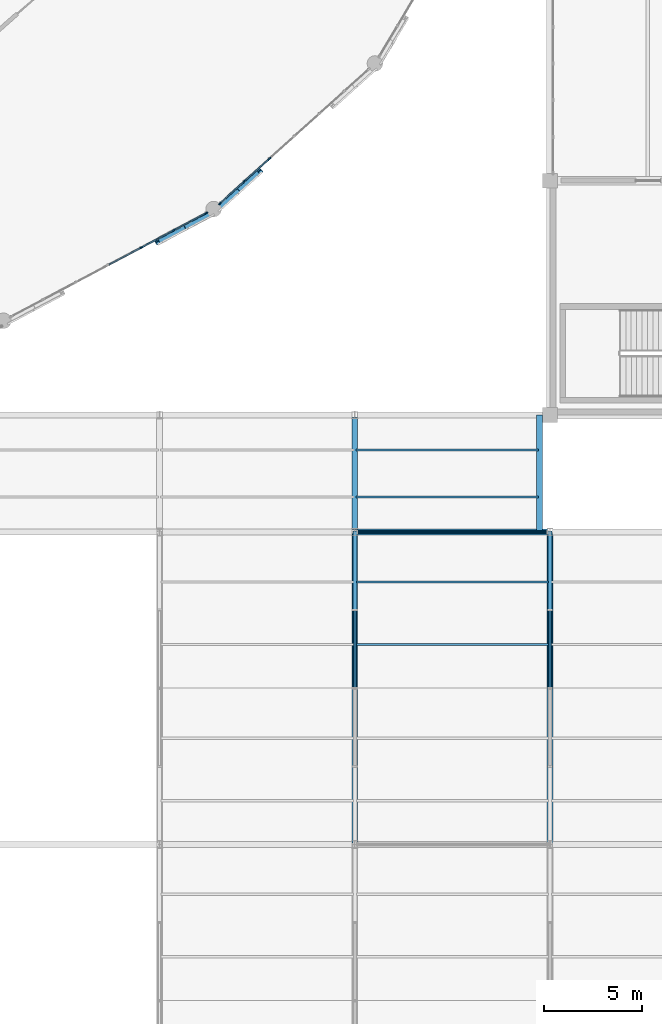
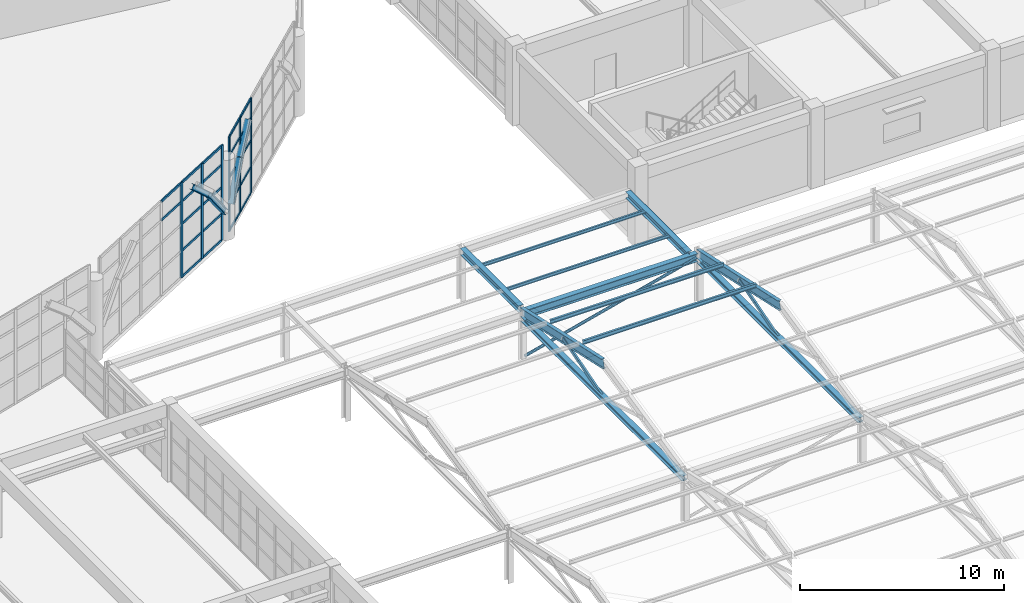
# One storey, part 31 of 109: 37 members, 9 beams, 2 elements without a shape of their own.
"""IFC4 building model written with IfcOpenShell, lengths in metres."""

from ifc_helpers import new_model, si_unit, direction, frame, origin, origin_2d, place, context, subcontext, project, spatial, rectangle, hollow_rectangle, hollow_circle, i_section, extrude, material, layer, layer_set, material_profile, profile_set, type_object, element, aggregate, save


model = new_model("IFC4")

# Units and contexts
model_context = context("Model", 3, precision=1e-05, world=origin(), true_north=direction((0.0, 1.0)))
body_context = subcontext(model_context, "Body", "Model", "MODEL_VIEW")
ifc_project = project(units=[si_unit("LENGTHUNIT", "METRE"), si_unit("AREAUNIT", "SQUARE_METRE"), si_unit("VOLUMEUNIT", "CUBIC_METRE"), si_unit("PLANEANGLEUNIT", "RADIAN"), si_unit("MASSUNIT", "GRAM", prefix="KILO")], contexts=[model_context])

# Site, building, storey
site_placement = place(None, origin())
site = spatial("IfcSite", under=ifc_project, at=site_placement, CompositionType="ELEMENT")
building_placement = place(site_placement, origin())
building = spatial("IfcBuilding", under=site, at=building_placement, Name="Kivolera Central Railway Station", CompositionType="ELEMENT")
storey_placement = place(building_placement, frame((0.0, 0.0, 9.60009765625)))
storey = spatial("IfcBuildingStorey", under=building, at=storey_placement, Name="L02", CompositionType="ELEMENT", Elevation=9.60009765625)

# Beams
ifc_material_1 = material(Name="Steel S355", Category="steel")
ifc_material_profile_1 = material_profile(ifc_material_1, i_section(OverallWidth=0.300048828125, OverallDepth=0.300048828125, WebThickness=0.010986328125, FlangeThickness=0.01904296875, FilletRadius=0.027099609375, at=origin_2d()), Name="HEB 300")
ifc_profile_set_1 = profile_set([ifc_material_profile_1], Name="Steel S355")
beam_type_1 = type_object("IfcBeamType", Name="BM-LANT-ARCH", PredefinedType="SPANDREL", material=ifc_profile_set_1)
beam_1_placement = place(storey_placement, frame((97.8759765625, 62.87109375, 4.9599609375), z_axis=(0.652784182999, 0.346644240166, -0.673580419242), x_axis=(-0.468999731448, 0.883198308367, 0.0)))
element("IfcBeam", 1, at=beam_1_placement, inside=storey, type_object=beam_type_1, Name="Oval Lantern Structural Arch Rib 21.5", PredefinedType="SPANDREL", context=body_context, shape_type="SweptSolid", body=[
    extrude(i_section(OverallWidth=0.300048828125, OverallDepth=0.300048828125, WebThickness=0.010986328125, FlangeThickness=0.01904296875, FilletRadius=0.027099609375, at=origin_2d()), origin(), (0.0, 0.0, 1.0), 2.019287109375),
])
beam_2_placement = place(storey_placement, frame((99.194091796875, 63.571044921875, 3.599853515625), z_axis=(0.545793526842, 0.289668648918, -0.786257909271), x_axis=(-0.468796526023, 0.883306185413, 0.0)))
element("IfcBeam", 2, at=beam_2_placement, inside=storey, type_object=beam_type_1, Name="Oval Lantern Structural Arch Rib 21.6", PredefinedType="SPANDREL", context=body_context, shape_type="SweptSolid", body=[
    extrude(i_section(OverallWidth=0.300048828125, OverallDepth=0.300048828125, WebThickness=0.010986328125, FlangeThickness=0.01904296875, FilletRadius=0.027099609375, at=origin_2d()), origin(), (0.0, 0.0, 1.0), 2.41650390625),
])
beam_3_placement = place(storey_placement, frame((101.114013671875, 64.693115234375, 1.699951171875), z_axis=(0.431185404632, 0.388705114828, 0.814240431653), x_axis=(-0.669571929078, 0.742747219309, 0.0)))
element("IfcBeam", 3, at=beam_3_placement, inside=storey, type_object=beam_type_1, Name="Oval Lantern Structural Arch Rib 22.1", PredefinedType="SPANDREL", context=body_context, shape_type="SweptSolid", body=[
    extrude(i_section(OverallWidth=0.300048828125, OverallDepth=0.300048828125, WebThickness=0.010986328125, FlangeThickness=0.01904296875, FilletRadius=0.027099609375, at=origin_2d()), origin(), (0.0, 0.0, 1.0), 2.333251953125),
])
beam_4_placement = place(storey_placement, frame((102.1201171875, 65.60009765625, 3.599853515625), z_axis=(0.523541860039, 0.473044746716, 0.708613144382), x_axis=(-0.670417548864, 0.741984036334, 0.0)))
element("IfcBeam", 4, at=beam_4_placement, inside=storey, type_object=beam_type_1, Name="Oval Lantern Structural Arch Rib 22.2", PredefinedType="SPANDREL", context=body_context, shape_type="SweptSolid", body=[
    extrude(i_section(OverallWidth=0.300048828125, OverallDepth=0.300048828125, WebThickness=0.010986328125, FlangeThickness=0.01904296875, FilletRadius=0.027099609375, at=origin_2d()), origin(), (0.0, 0.0, 1.0), 1.91943359375),
])
ifc_material_profile_2 = material_profile(ifc_material_1, i_section(OverallWidth=0.300048828125, OverallDepth=0.389892578125, WebThickness=0.010986328125, FlangeThickness=0.01904296875, FilletRadius=0.027099609375, at=origin_2d()), Name="HEA 400")
ifc_profile_set_2 = profile_set([ifc_material_profile_2], Name="Steel S355")
beam_type_2 = type_object("IfcBeamType", Name="BM-SHD-HEA400", PredefinedType="BEAM", material=ifc_profile_set_2)
beam_5_placement = place(storey_placement, frame((108.0, 48.14208984375, 3.054931640625), z_axis=(0.0, 1.0, 0.0), x_axis=(-1.0, 0.0, 0.0)))
element("IfcBeam", 5, at=beam_5_placement, inside=storey, type_object=beam_type_2, Name="Train Shed Threshold Canopy Rafter DE-11", PredefinedType="BEAM", context=body_context, shape_type="SweptSolid", body=[
    extrude(i_section(OverallWidth=0.300048828125, OverallDepth=0.389892578125, WebThickness=0.010986328125, FlangeThickness=0.01904296875, FilletRadius=0.027099609375, at=origin_2d()), origin(), (0.0, 0.0, 1.0), 5.7158203125),
])
beam_6_placement = place(storey_placement, frame((117.4599609375, 48.0, 3.054931640625), z_axis=(0.0, 1.0, 0.0), x_axis=(-1.0, 0.0, 0.0)))
element("IfcBeam", 6, at=beam_6_placement, inside=storey, type_object=beam_type_2, Name="Train Shed Threshold Canopy Rafter DE-12W", PredefinedType="BEAM", context=body_context, shape_type="SweptSolid", body=[
    extrude(i_section(OverallWidth=0.300048828125, OverallDepth=0.389892578125, WebThickness=0.010986328125, FlangeThickness=0.01904296875, FilletRadius=0.027099609375, at=origin_2d()), origin(), (0.0, 0.0, 1.0), 6.0),
])
ifc_material_profile_3 = material_profile(ifc_material_1, i_section(OverallWidth=0.300048828125, OverallDepth=0.489990234375, WebThickness=0.011962890625, FlangeThickness=0.02294921875, FilletRadius=0.027099609375, at=origin_2d()), Name="HEA 500")
ifc_profile_set_3 = profile_set([ifc_material_profile_3], Name="Steel S355")
beam_type_3 = type_object("IfcBeamType", Name="BM-SHD-HEA500", PredefinedType="BEAM", material=ifc_profile_set_3)
beam_7_placement = place(storey_placement, frame((108.136962890625, 48.0, 2.81982421875), z_axis=(1.0, 0.0, 0.0), x_axis=(0.0, 1.0, 0.0)))
element("IfcBeam", 7, at=beam_7_placement, inside=storey, type_object=beam_type_3, Name="Train Shed Eave Girder D:11-12", PredefinedType="BEAM", context=body_context, shape_type="SweptSolid", body=[
    extrude(i_section(OverallWidth=0.300048828125, OverallDepth=0.489990234375, WebThickness=0.011962890625, FlangeThickness=0.02294921875, FilletRadius=0.027099609375, at=origin_2d()), origin(), (0.0, 0.0, 1.0), 9.72607421875),
])
ifc_material_profile_4 = material_profile(ifc_material_1, i_section(OverallWidth=0.209228515625, OverallDepth=0.533203125, WebThickness=0.010009765625, FlangeThickness=0.015625, FilletRadius=0.0126953125, at=origin_2d()), Name="UB 533x210x92")
ifc_profile_set_4 = profile_set([ifc_material_profile_4], Name="Steel S355")
beam_type_4 = type_object("IfcBeamType", Name="BM-SHD-UB533", PredefinedType="BEAM", material=ifc_profile_set_4)
for number, where, z_axis, x_axis, name in (
    (8, (108.0, 40.0, 4.684814453125), (0.0, 0.97664421653, -0.214862919829), (-1.0, 0.0, 0.0), "Train Shed Roof Truss Top Rafter CD-11N"),
    (9, (118.0, 40.0, 4.684814453125), (0.0, 0.97664421653, -0.214862919829), (-1.0, 0.0, 0.0), "Train Shed Roof Truss Top Rafter CD-12N"),
):
    element("IfcBeam", number, at=place(storey_placement, frame(where, z_axis=z_axis, x_axis=x_axis)), inside=storey, type_object=beam_type_4, Name=name, PredefinedType="BEAM", context=body_context, shape_type="SweptSolid", body=[
        extrude(i_section(OverallWidth=0.209228515625, OverallDepth=0.533203125, WebThickness=0.010009765625, FlangeThickness=0.015625, FilletRadius=0.0126953125, at=origin_2d()), origin(), (0.0, 0.0, 1.0), 8.19140625),
    ])

# Curtain wall, members
ifc_material_2 = material(Name="Anodised aluminium", Category="aluminium")
ifc_layer_1 = layer(ifc_material_2, 0.179931640625, Name="Anodised aluminium")
ifc_layer_set_1 = layer_set([ifc_layer_1], Name="Anodised aluminium")
curtain_wall_type_1 = type_object("IfcCurtainWallType", Name="CW-SYS-09", PredefinedType="NOTDEFINED", material=ifc_layer_set_1)
curtain_wall_1_placement = place(storey_placement, origin())
curtain_wall_1 = element("IfcCurtainWall", 10, at=curtain_wall_1_placement, inside=storey, type_object=curtain_wall_type_1, Name="L02 Curtain Wall CW-L02-OVL-20", PredefinedType="NOTDEFINED")
ifc_material_profile_5 = material_profile(ifc_material_2, rectangle(XDim=0.070068359375, YDim=0.179931640625, at=origin_2d()), Name="ALU MULL 70x180")
ifc_profile_set_5 = profile_set([ifc_material_profile_5], Name="Anodised aluminium")
member_type_1 = type_object("IfcMemberType", Name="CWM-MUL-1", PredefinedType="MULLION", material=ifc_profile_set_5)
member_1_placement = place(storey_placement, frame((100.385986328125, 64.339599609375, -0.005126953125), z_axis=(0.0, 0.0, 1.0), x_axis=(0.469052563023, -0.883170251493, 0.0)))
member_1 = element("IfcMember", 11, at=member_1_placement, type_object=member_type_1, Name="CW-09 mullion 1", PredefinedType="MULLION", context=body_context, shape_type="SweptSolid", body=[
    extrude(rectangle(XDim=0.070068359375, YDim=0.179931640625, at=origin_2d()), origin(), (0.0, 0.0, 1.0), 5.705078125),
])
member_2_placement = place(storey_placement, frame((98.73974609375, 63.465087890625, -0.005126953125), z_axis=(0.0, 0.0, 1.0), x_axis=(0.469052563023, -0.883170251493, 0.0)))
member_2 = element("IfcMember", 12, at=member_2_placement, type_object=member_type_1, Name="CW-09 mullion 2", PredefinedType="MULLION", context=body_context, shape_type="SweptSolid", body=[
    extrude(rectangle(XDim=0.070068359375, YDim=0.179931640625, at=origin_2d()), origin(), (0.0, 0.0, 1.0), 5.705078125),
])
member_3_placement = place(storey_placement, frame((97.062255859375, 62.57421875, -0.005126953125), z_axis=(0.0, 0.0, 1.0), x_axis=(0.469052563023, -0.883170251493, 0.0)))
member_3 = element("IfcMember", 13, at=member_3_placement, type_object=member_type_1, Name="CW-09 mullion 3", PredefinedType="MULLION", context=body_context, shape_type="SweptSolid", body=[
    extrude(rectangle(XDim=0.070068359375, YDim=0.179931640625, at=origin_2d()), origin(), (0.0, 0.0, 1.0), 5.705078125),
])

ifc_layer_2 = layer(ifc_material_2, 0.179931640625, Name="Anodised aluminium")
ifc_layer_set_2 = layer_set([ifc_layer_2], Name="Anodised aluminium")
curtain_wall_type_2 = type_object("IfcCurtainWallType", Name="CW-SYS-06", PredefinedType="NOTDEFINED", material=ifc_layer_set_2)
curtain_wall_2_placement = place(storey_placement, origin())
curtain_wall_2 = element("IfcCurtainWall", 14, at=curtain_wall_2_placement, inside=storey, type_object=curtain_wall_type_2, Name="L02 Curtain Wall CW-L02-OVL-21", PredefinedType="NOTDEFINED")
member_4_placement = place(storey_placement, frame((103.623291015625, 67.11865234375, -0.005126953125), z_axis=(0.0, 0.0, 1.0), x_axis=(0.66992157428, -0.742431871833, 0.0)))
member_4 = element("IfcMember", 15, at=member_4_placement, type_object=member_type_1, Name="CW-06 mullion 5", PredefinedType="MULLION", context=body_context, shape_type="SweptSolid", body=[
    extrude(rectangle(XDim=0.070068359375, YDim=0.179931640625, at=origin_2d()), origin(), (0.0, 0.0, 1.0), 5.705078125),
])
member_5_placement = place(storey_placement, frame((102.34521484375, 65.96533203125, -0.005126953125), z_axis=(0.0, 0.0, 1.0), x_axis=(0.66992157428, -0.742431871833, 0.0)))
member_5 = element("IfcMember", 16, at=member_5_placement, type_object=member_type_1, Name="CW-06 mullion 6", PredefinedType="MULLION", context=body_context, shape_type="SweptSolid", body=[
    extrude(rectangle(XDim=0.070068359375, YDim=0.179931640625, at=origin_2d()), origin(), (0.0, 0.0, 1.0), 5.705078125),
])
member_6_placement = place(storey_placement, frame((101.093017578125, 64.83544921875, -0.005126953125), z_axis=(0.0, 0.0, 1.0), x_axis=(0.66992157428, -0.742431871833, 0.0)))
member_6 = element("IfcMember", 17, at=member_6_placement, type_object=member_type_1, Name="CW-06 mullion 7", PredefinedType="MULLION", context=body_context, shape_type="SweptSolid", body=[
    extrude(rectangle(XDim=0.070068359375, YDim=0.179931640625, at=origin_2d()), origin(), (0.0, 0.0, 1.0), 5.705078125),
])

# Member
ifc_material_profile_6 = material_profile(ifc_material_2, rectangle(XDim=0.070068359375, YDim=0.139892578125, at=origin_2d()), Name="ALU TRAN 70x140")
ifc_profile_set_6 = profile_set([ifc_material_profile_6], Name="Anodised aluminium")
member_type_2 = type_object("IfcMemberType", Name="CWM-TRN-1", PredefinedType="USERDEFINED", material=ifc_profile_set_6)
member_7_placement = place(storey_placement, frame((100.355224609375, 64.3232421875, 0.034912109375), z_axis=(-0.883191460259, -0.469012627255, 0.0), x_axis=(0.469012627255, -0.883191460259, 0.0)))
member_7 = element("IfcMember", 18, at=member_7_placement, type_object=member_type_2, Name="CW-09 transom 1.1", ObjectType="TRANSOM", PredefinedType="USERDEFINED", context=body_context, shape_type="SweptSolid", body=[
    extrude(rectangle(XDim=0.070068359375, YDim=0.139892578125, at=origin_2d()), origin(), (0.0, 0.0, 1.0), 1.794189453125),
])

member_8_placement = place(storey_placement, frame((100.355224609375, 64.3232421875, 1.599853515625), z_axis=(-0.883191460259, -0.469012627255, 0.0), x_axis=(0.469012627255, -0.883191460259, 0.0)))
member_8 = element("IfcMember", 19, at=member_8_placement, type_object=member_type_2, Name="CW-09 transom 1.2", ObjectType="TRANSOM", PredefinedType="USERDEFINED", context=body_context, shape_type="SweptSolid", body=[
    extrude(rectangle(XDim=0.070068359375, YDim=0.139892578125, at=origin_2d()), origin(), (0.0, 0.0, 1.0), 1.794189453125),
])

member_9_placement = place(storey_placement, frame((100.355224609375, 64.3232421875, 3.199951171875), z_axis=(-0.883191460259, -0.469012627255, 0.0), x_axis=(0.469012627255, -0.883191460259, 0.0)))
member_9 = element("IfcMember", 20, at=member_9_placement, type_object=member_type_2, Name="CW-09 transom 1.3", ObjectType="TRANSOM", PredefinedType="USERDEFINED", context=body_context, shape_type="SweptSolid", body=[
    extrude(rectangle(XDim=0.070068359375, YDim=0.139892578125, at=origin_2d()), origin(), (0.0, 0.0, 1.0), 1.794189453125),
])

member_10_placement = place(storey_placement, frame((100.355224609375, 64.3232421875, 4.5498046875), z_axis=(-0.883191460259, -0.469012627255, 0.0), x_axis=(0.469012627255, -0.883191460259, 0.0)))
member_10 = element("IfcMember", 21, at=member_10_placement, type_object=member_type_2, Name="CW-09 transom 1.4", ObjectType="TRANSOM", PredefinedType="USERDEFINED", context=body_context, shape_type="SweptSolid", body=[
    extrude(rectangle(XDim=0.070068359375, YDim=0.139892578125, at=origin_2d()), origin(), (0.0, 0.0, 1.0), 1.794189453125),
])

member_11_placement = place(storey_placement, frame((100.355224609375, 64.3232421875, 5.664794921875), z_axis=(-0.883191460259, -0.469012627255, 0.0), x_axis=(0.469012627255, -0.883191460259, 0.0)))
member_11 = element("IfcMember", 22, at=member_11_placement, type_object=member_type_2, Name="CW-09 transom 1.5", ObjectType="TRANSOM", PredefinedType="USERDEFINED", context=body_context, shape_type="SweptSolid", body=[
    extrude(rectangle(XDim=0.070068359375, YDim=0.139892578125, at=origin_2d()), origin(), (0.0, 0.0, 1.0), 1.794189453125),
])

member_12_placement = place(storey_placement, frame((98.708740234375, 63.44873046875, 0.034912109375), z_axis=(-0.88318656257, -0.469021849913, 0.0), x_axis=(0.469021849913, -0.88318656257, 0.0)))
member_12 = element("IfcMember", 23, at=member_12_placement, type_object=member_type_2, Name="CW-09 transom 2.1", ObjectType="TRANSOM", PredefinedType="USERDEFINED", context=body_context, shape_type="SweptSolid", body=[
    extrude(rectangle(XDim=0.070068359375, YDim=0.139892578125, at=origin_2d()), origin(), (0.0, 0.0, 1.0), 1.8291015625),
])

member_13_placement = place(storey_placement, frame((98.708740234375, 63.44873046875, 1.599853515625), z_axis=(-0.88318656257, -0.469021849913, 0.0), x_axis=(0.469021849913, -0.88318656257, 0.0)))
member_13 = element("IfcMember", 24, at=member_13_placement, type_object=member_type_2, Name="CW-09 transom 2.2", ObjectType="TRANSOM", PredefinedType="USERDEFINED", context=body_context, shape_type="SweptSolid", body=[
    extrude(rectangle(XDim=0.070068359375, YDim=0.139892578125, at=origin_2d()), origin(), (0.0, 0.0, 1.0), 1.8291015625),
])

member_14_placement = place(storey_placement, frame((98.708740234375, 63.44873046875, 3.199951171875), z_axis=(-0.88318656257, -0.469021849913, 0.0), x_axis=(0.469021849913, -0.88318656257, 0.0)))
member_14 = element("IfcMember", 25, at=member_14_placement, type_object=member_type_2, Name="CW-09 transom 2.3", ObjectType="TRANSOM", PredefinedType="USERDEFINED", context=body_context, shape_type="SweptSolid", body=[
    extrude(rectangle(XDim=0.070068359375, YDim=0.139892578125, at=origin_2d()), origin(), (0.0, 0.0, 1.0), 1.8291015625),
])

member_15_placement = place(storey_placement, frame((98.708740234375, 63.44873046875, 4.5498046875), z_axis=(-0.88318656257, -0.469021849913, 0.0), x_axis=(0.469021849913, -0.88318656257, 0.0)))
member_15 = element("IfcMember", 26, at=member_15_placement, type_object=member_type_2, Name="CW-09 transom 2.4", ObjectType="TRANSOM", PredefinedType="USERDEFINED", context=body_context, shape_type="SweptSolid", body=[
    extrude(rectangle(XDim=0.070068359375, YDim=0.139892578125, at=origin_2d()), origin(), (0.0, 0.0, 1.0), 1.8291015625),
])

member_16_placement = place(storey_placement, frame((98.708740234375, 63.44873046875, 5.664794921875), z_axis=(-0.88318656257, -0.469021849913, 0.0), x_axis=(0.469021849913, -0.88318656257, 0.0)))
member_16 = element("IfcMember", 27, at=member_16_placement, type_object=member_type_2, Name="CW-09 transom 2.5", ObjectType="TRANSOM", PredefinedType="USERDEFINED", context=body_context, shape_type="SweptSolid", body=[
    extrude(rectangle(XDim=0.070068359375, YDim=0.139892578125, at=origin_2d()), origin(), (0.0, 0.0, 1.0), 1.8291015625),
])

member_17_placement = place(storey_placement, frame((97.031494140625, 62.557861328125, 4.5498046875), z_axis=(-0.88318656257, -0.469021849913, 0.0), x_axis=(0.469021849913, -0.88318656257, 0.0)))
member_17 = element("IfcMember", 28, at=member_17_placement, type_object=member_type_2, Name="CW-09 transom 3.4", ObjectType="TRANSOM", PredefinedType="USERDEFINED", context=body_context, shape_type="SweptSolid", body=[
    extrude(rectangle(XDim=0.070068359375, YDim=0.139892578125, at=origin_2d()), origin(), (0.0, 0.0, 1.0), 1.8291015625),
])

member_18_placement = place(storey_placement, frame((97.031494140625, 62.557861328125, 5.664794921875), z_axis=(-0.88318656257, -0.469021849913, 0.0), x_axis=(0.469021849913, -0.88318656257, 0.0)))
member_18 = element("IfcMember", 29, at=member_18_placement, type_object=member_type_2, Name="CW-09 transom 3.5", ObjectType="TRANSOM", PredefinedType="USERDEFINED", context=body_context, shape_type="SweptSolid", body=[
    extrude(rectangle(XDim=0.070068359375, YDim=0.139892578125, at=origin_2d()), origin(), (0.0, 0.0, 1.0), 1.8291015625),
])

aggregate(curtain_wall_1, [member_1, member_2, member_3, member_7, member_8, member_9, member_10, member_11, member_12, member_13, member_14, member_15, member_16, member_17, member_18])

member_19_placement = place(storey_placement, frame((103.597412109375, 67.09521484375, 0.034912109375), z_axis=(-0.74246304586, -0.669887024455, 0.0), x_axis=(0.669887024455, -0.74246304586, 0.0)))
member_19 = element("IfcMember", 30, at=member_19_placement, type_object=member_type_2, Name="CW-06 transom 5.1", ObjectType="TRANSOM", PredefinedType="USERDEFINED", context=body_context, shape_type="SweptSolid", body=[
    extrude(rectangle(XDim=0.070068359375, YDim=0.139892578125, at=origin_2d()), origin(), (0.0, 0.0, 1.0), 1.651611328125),
])

member_20_placement = place(storey_placement, frame((103.597412109375, 67.09521484375, 1.599853515625), z_axis=(-0.74246304586, -0.669887024455, 0.0), x_axis=(0.669887024455, -0.74246304586, 0.0)))
member_20 = element("IfcMember", 31, at=member_20_placement, type_object=member_type_2, Name="CW-06 transom 5.2", ObjectType="TRANSOM", PredefinedType="USERDEFINED", context=body_context, shape_type="SweptSolid", body=[
    extrude(rectangle(XDim=0.070068359375, YDim=0.139892578125, at=origin_2d()), origin(), (0.0, 0.0, 1.0), 1.651611328125),
])

member_21_placement = place(storey_placement, frame((103.597412109375, 67.09521484375, 3.199951171875), z_axis=(-0.74246304586, -0.669887024455, 0.0), x_axis=(0.669887024455, -0.74246304586, 0.0)))
member_21 = element("IfcMember", 32, at=member_21_placement, type_object=member_type_2, Name="CW-06 transom 5.3", ObjectType="TRANSOM", PredefinedType="USERDEFINED", context=body_context, shape_type="SweptSolid", body=[
    extrude(rectangle(XDim=0.070068359375, YDim=0.139892578125, at=origin_2d()), origin(), (0.0, 0.0, 1.0), 1.651611328125),
])

member_22_placement = place(storey_placement, frame((103.597412109375, 67.09521484375, 4.5498046875), z_axis=(-0.74246304586, -0.669887024455, 0.0), x_axis=(0.669887024455, -0.74246304586, 0.0)))
member_22 = element("IfcMember", 33, at=member_22_placement, type_object=member_type_2, Name="CW-06 transom 5.4", ObjectType="TRANSOM", PredefinedType="USERDEFINED", context=body_context, shape_type="SweptSolid", body=[
    extrude(rectangle(XDim=0.070068359375, YDim=0.139892578125, at=origin_2d()), origin(), (0.0, 0.0, 1.0), 1.651611328125),
])

member_23_placement = place(storey_placement, frame((103.597412109375, 67.09521484375, 5.664794921875), z_axis=(-0.74246304586, -0.669887024455, 0.0), x_axis=(0.669887024455, -0.74246304586, 0.0)))
member_23 = element("IfcMember", 34, at=member_23_placement, type_object=member_type_2, Name="CW-06 transom 5.5", ObjectType="TRANSOM", PredefinedType="USERDEFINED", context=body_context, shape_type="SweptSolid", body=[
    extrude(rectangle(XDim=0.070068359375, YDim=0.139892578125, at=origin_2d()), origin(), (0.0, 0.0, 1.0), 1.651611328125),
])

member_24_placement = place(storey_placement, frame((102.319091796875, 65.94189453125, 0.034912109375), z_axis=(-0.742422429893, -0.66993203804, 0.0), x_axis=(0.66993203804, -0.742422429893, 0.0)))
member_24 = element("IfcMember", 35, at=member_24_placement, type_object=member_type_2, Name="CW-06 transom 6.1", ObjectType="TRANSOM", PredefinedType="USERDEFINED", context=body_context, shape_type="SweptSolid", body=[
    extrude(rectangle(XDim=0.070068359375, YDim=0.139892578125, at=origin_2d()), origin(), (0.0, 0.0, 1.0), 1.61669921875),
])

member_25_placement = place(storey_placement, frame((102.319091796875, 65.94189453125, 1.599853515625), z_axis=(-0.742422429893, -0.66993203804, 0.0), x_axis=(0.66993203804, -0.742422429893, 0.0)))
member_25 = element("IfcMember", 36, at=member_25_placement, type_object=member_type_2, Name="CW-06 transom 6.2", ObjectType="TRANSOM", PredefinedType="USERDEFINED", context=body_context, shape_type="SweptSolid", body=[
    extrude(rectangle(XDim=0.070068359375, YDim=0.139892578125, at=origin_2d()), origin(), (0.0, 0.0, 1.0), 1.61669921875),
])

member_26_placement = place(storey_placement, frame((102.319091796875, 65.94189453125, 3.199951171875), z_axis=(-0.742422429893, -0.66993203804, 0.0), x_axis=(0.66993203804, -0.742422429893, 0.0)))
member_26 = element("IfcMember", 37, at=member_26_placement, type_object=member_type_2, Name="CW-06 transom 6.3", ObjectType="TRANSOM", PredefinedType="USERDEFINED", context=body_context, shape_type="SweptSolid", body=[
    extrude(rectangle(XDim=0.070068359375, YDim=0.139892578125, at=origin_2d()), origin(), (0.0, 0.0, 1.0), 1.61669921875),
])

member_27_placement = place(storey_placement, frame((102.319091796875, 65.94189453125, 4.5498046875), z_axis=(-0.742422429893, -0.66993203804, 0.0), x_axis=(0.66993203804, -0.742422429893, 0.0)))
member_27 = element("IfcMember", 38, at=member_27_placement, type_object=member_type_2, Name="CW-06 transom 6.4", ObjectType="TRANSOM", PredefinedType="USERDEFINED", context=body_context, shape_type="SweptSolid", body=[
    extrude(rectangle(XDim=0.070068359375, YDim=0.139892578125, at=origin_2d()), origin(), (0.0, 0.0, 1.0), 1.61669921875),
])

member_28_placement = place(storey_placement, frame((102.319091796875, 65.94189453125, 5.664794921875), z_axis=(-0.742422429893, -0.66993203804, 0.0), x_axis=(0.66993203804, -0.742422429893, 0.0)))
member_28 = element("IfcMember", 39, at=member_28_placement, type_object=member_type_2, Name="CW-06 transom 6.5", ObjectType="TRANSOM", PredefinedType="USERDEFINED", context=body_context, shape_type="SweptSolid", body=[
    extrude(rectangle(XDim=0.070068359375, YDim=0.139892578125, at=origin_2d()), origin(), (0.0, 0.0, 1.0), 1.61669921875),
])

aggregate(curtain_wall_2, [member_4, member_5, member_6, member_19, member_20, member_21, member_22, member_23, member_24, member_25, member_26, member_27, member_28])

# Members
ifc_material_profile_7 = material_profile(ifc_material_1, hollow_circle(Radius=0.084228515625, WallThickness=0.008056640625, at=origin_2d()), Name="CHS 168.3x8")
ifc_profile_set_7 = profile_set([ifc_material_profile_7], Name="Steel S355")
member_type_3 = type_object("IfcMemberType", Name="MEM-BRC-CHS168", PredefinedType="BRACE", material=ifc_profile_set_7)
member_29_placement = place(storey_placement, frame((108.126953125, 48.0, 0.25), z_axis=(0.96863991136, 0.0, 0.248468754818), x_axis=(0.0, 1.0, 0.0)))
element("IfcMember", 40, at=member_29_placement, inside=storey, type_object=member_type_3, Name="Train Shed Longitudinal Portal Brace D:11-12", PredefinedType="BRACE", context=body_context, shape_type="SweptSolid", body=[
    extrude(hollow_circle(Radius=0.084228515625, WallThickness=0.008056640625, at=origin_2d()), origin(), (0.0, 0.0, 1.0), 10.0615234375),
])
ifc_material_profile_8 = material_profile(ifc_material_1, i_section(OverallWidth=0.300048828125, OverallDepth=0.300048828125, WebThickness=0.010986328125, FlangeThickness=0.01904296875, FilletRadius=0.027099609375, at=origin_2d()), Name="HEB 300")
ifc_profile_set_8 = profile_set([ifc_material_profile_8], Name="Steel S355")
member_type_4 = type_object("IfcMemberType", Name="MEM-CHD-HEB300", PredefinedType="CHORD", material=ifc_profile_set_8)
for number, where, z_axis, x_axis, name in (
    (41, (108.0, 32.080078125, 2.619873046875), (0.0, 1.0, 0.0), (-1.0, 0.0, 0.0), "Train Shed Roof Truss Bottom Tie Chord CD-11"),
    (42, (118.0, 32.080078125, 2.619873046875), (0.0, 1.0, 0.0), (-1.0, 0.0, 0.0), "Train Shed Roof Truss Bottom Tie Chord CD-12"),
):
    element("IfcMember", number, at=place(storey_placement, frame(where, z_axis=z_axis, x_axis=x_axis)), inside=storey, type_object=member_type_4, Name=name, PredefinedType="CHORD", context=body_context, shape_type="SweptSolid", body=[
        extrude(i_section(OverallWidth=0.300048828125, OverallDepth=0.300048828125, WebThickness=0.010986328125, FlangeThickness=0.01904296875, FilletRadius=0.027099609375, at=origin_2d()), origin(), (0.0, 0.0, 1.0), 15.83984375),
    ])
ifc_material_profile_9 = material_profile(ifc_material_1, i_section(OverallWidth=0.10009765625, OverallDepth=0.199951171875, WebThickness=0.005615234375, FlangeThickness=0.008544921875, FilletRadius=0.011962890625, at=origin_2d()), Name="IPE 200")
ifc_profile_set_9 = profile_set([ifc_material_profile_9], Name="Steel S355")
member_type_5 = type_object("IfcMemberType", Name="MEM-PUR-IPE200", PredefinedType="PURLIN", material=ifc_profile_set_9)
for number, where, z_axis, x_axis, name in (
    (43, (108.050048828125, 49.800048828125, 3.14794921875), (1.0, 0.0, 0.0), (0.0, 1.0, 0.0), "Train Shed Threshold Purlin DE-11-1"),
    (44, (108.050048828125, 52.199951171875, 3.14794921875), (1.0, 0.0, 0.0), (0.0, 1.0, 0.0), "Train Shed Threshold Purlin DE-11-2"),
):
    element("IfcMember", number, at=place(storey_placement, frame(where, z_axis=z_axis, x_axis=x_axis)), inside=storey, type_object=member_type_5, Name=name, PredefinedType="PURLIN", context=body_context, shape_type="SweptSolid", body=[
        extrude(i_section(OverallWidth=0.10009765625, OverallDepth=0.199951171875, WebThickness=0.005615234375, FlangeThickness=0.008544921875, FilletRadius=0.011962890625, at=origin_2d()), origin(), (0.0, 0.0, 1.0), 9.35986328125),
    ])
ifc_material_profile_10 = material_profile(ifc_material_1, i_section(OverallWidth=0.1201171875, OverallDepth=0.239990234375, WebThickness=0.006103515625, FlangeThickness=0.009765625, FilletRadius=0.014892578125, at=origin_2d()), Name="IPE 240")
ifc_profile_set_10 = profile_set([ifc_material_profile_10], Name="Steel S355")
member_type_6 = type_object("IfcMemberType", Name="MEM-PUR-IPE240", PredefinedType="PURLIN", material=ifc_profile_set_10)
for number, where, z_axis, x_axis, name in (
    (45, (108.080078125, 42.239990234375, 4.572021484375), (1.0, 0.0, 0.0), (0.0, 1.0, 0.0), "Train Shed Roof Purlin CD-11-N1"),
    (46, (108.080078125, 45.43994140625, 3.867919921875), (1.0, 0.0, 0.0), (0.0, 1.0, 0.0), "Train Shed Roof Purlin CD-11-N2"),
):
    element("IfcMember", number, at=place(storey_placement, frame(where, z_axis=z_axis, x_axis=x_axis)), inside=storey, type_object=member_type_6, Name=name, PredefinedType="PURLIN", context=body_context, shape_type="SweptSolid", body=[
        extrude(i_section(OverallWidth=0.1201171875, OverallDepth=0.239990234375, WebThickness=0.006103515625, FlangeThickness=0.009765625, FilletRadius=0.014892578125, at=origin_2d()), origin(), (0.0, 0.0, 1.0), 9.83984375),
    ])
ifc_material_profile_11 = material_profile(ifc_material_1, hollow_rectangle(XDim=0.10009765625, YDim=0.199951171875, WallThickness=0.010009765625, at=origin_2d()), Name="RHS 200x100x10")
ifc_profile_set_11 = profile_set([ifc_material_profile_11], Name="Steel S355")
member_type_7 = type_object("IfcMemberType", Name="MEM-STR-RHS200", PredefinedType="STRUT", material=ifc_profile_set_11)
for number, where, z_axis, x_axis, name in (
    (47, (108.0, 40.0, 2.619873046875), (0.0, 0.958806377549, 0.284060434364), (-1.0, 0.0, 0.0), "Train Shed Truss Web Strut CD-11-2"),
    (48, (118.0, 40.0, 2.619873046875), (0.0, 0.958806377549, 0.284060434364), (-1.0, 0.0, 0.0), "Train Shed Truss Web Strut CD-12-2"),
):
    element("IfcMember", number, at=place(storey_placement, frame(where, z_axis=z_axis, x_axis=x_axis)), inside=storey, type_object=member_type_7, Name=name, PredefinedType="STRUT", context=body_context, shape_type="SweptSolid", body=[
        extrude(hollow_rectangle(XDim=0.10009765625, YDim=0.199951171875, WallThickness=0.010009765625, at=origin_2d()), origin(), (0.0, 0.0, 1.0), 4.171875),
    ])

save(model, "model.ifc")
